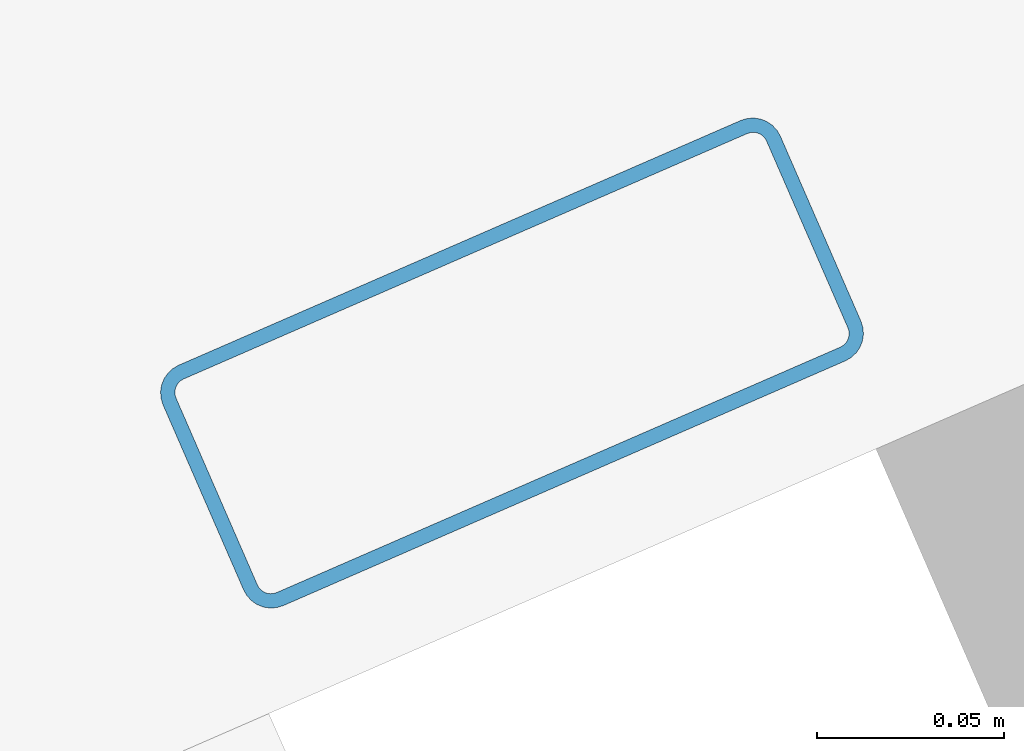
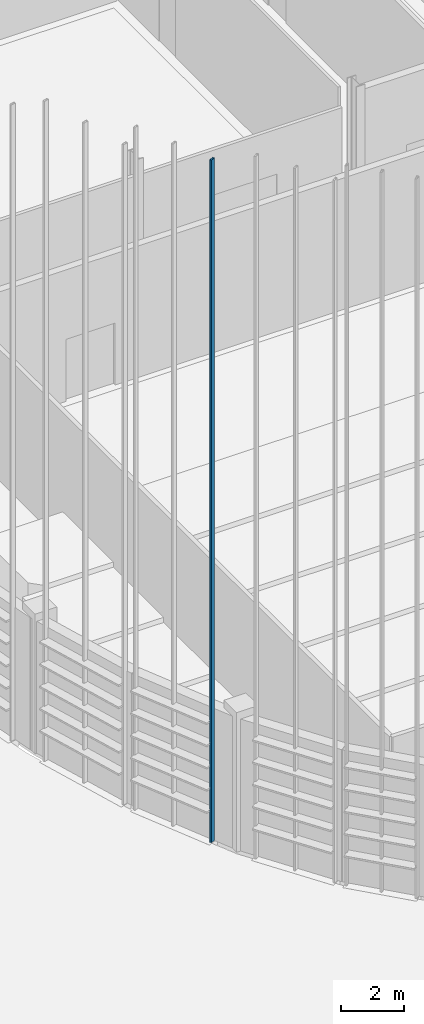
# One storey, part 68 of 372: 1 member.
"""IFC4 building model written with IfcOpenShell, lengths in metres."""

from ifc_helpers import new_model, si_unit, direction, frame, origin, origin_2d, place, context, subcontext, project, spatial, hollow_rectangle, extrude, material, material_profile, profile_set, type_object, element, save


model = new_model("IFC4")

# Units and contexts
model_context = context("Model", 3, precision=1e-05, world=origin(), true_north=direction((0.0, 1.0)))
body_context = subcontext(model_context, "Body", "Model", "MODEL_VIEW")
ifc_project = project(units=[si_unit("LENGTHUNIT", "METRE"), si_unit("AREAUNIT", "SQUARE_METRE"), si_unit("VOLUMEUNIT", "CUBIC_METRE"), si_unit("PLANEANGLEUNIT", "RADIAN"), si_unit("MASSUNIT", "GRAM", prefix="KILO")], contexts=[model_context])

# Site, building, storey
site_placement = place(None, origin())
site = spatial("IfcSite", under=ifc_project, at=site_placement, CompositionType="ELEMENT")
building_placement = place(site_placement, origin())
building = spatial("IfcBuilding", under=site, at=building_placement, Name="Kaelora Sail Theatre", CompositionType="ELEMENT")
storey_placement = place(building_placement, origin())
storey = spatial("IfcBuildingStorey", under=building, at=storey_placement, Name="L00", CompositionType="ELEMENT", Elevation=0.0)

# Member
ifc_material = material(Name="Anodised aluminium 6063-T6", Category="aluminium")
ifc_material_profile = material_profile(ifc_material, hollow_rectangle(XDim=0.070068359375, YDim=0.179931640625, WallThickness=0.00390625, InnerFilletRadius=0.00390625, OuterFilletRadius=0.008056640625, at=origin_2d()), Name="ALU-MULL 70x180x4")
ifc_profile_set = profile_set([ifc_material_profile], Name="Anodised aluminium 6063-T6")
member_type = type_object("IfcMemberType", Name="ARC-MEM-PST-160", PredefinedType="POST", material=ifc_profile_set)
member_placement = place(storey_placement, frame((28.999755859375, 33.605224609375, 0.0), z_axis=(0.0, 0.0, 1.0), x_axis=(-0.399229185776, 0.916851164162, 0.0)))
element("IfcMember", 1, at=member_placement, inside=storey, type_object=member_type, Name="Main Theatre Sail Drum solar louvre vertical support post C17-1", PredefinedType="POST", context=body_context, shape_type="SweptSolid", body=[
    extrude(hollow_rectangle(XDim=0.070068359375, YDim=0.179931640625, WallThickness=0.00390625, InnerFilletRadius=0.00390625, OuterFilletRadius=0.008056640625, at=origin_2d()), origin(), (0.0, 0.0, 1.0), 26.402099609375),
])

save(model, "model.ifc")
